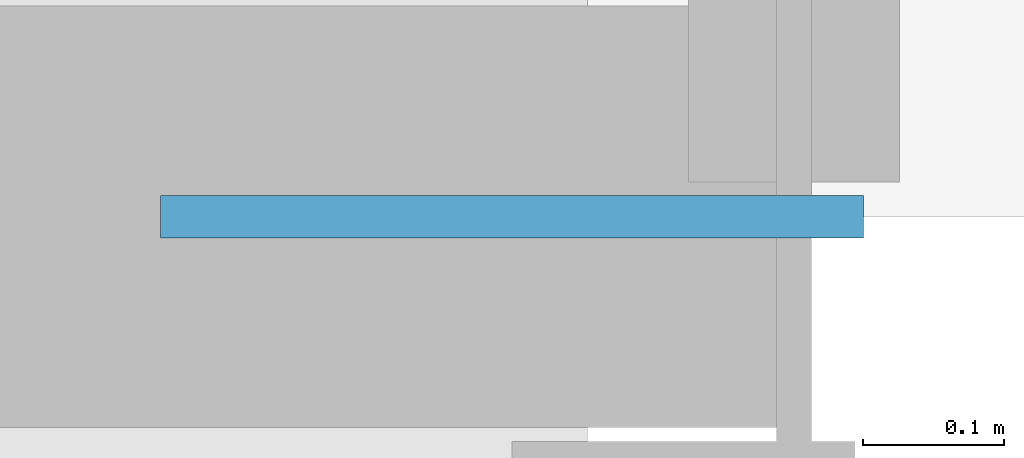
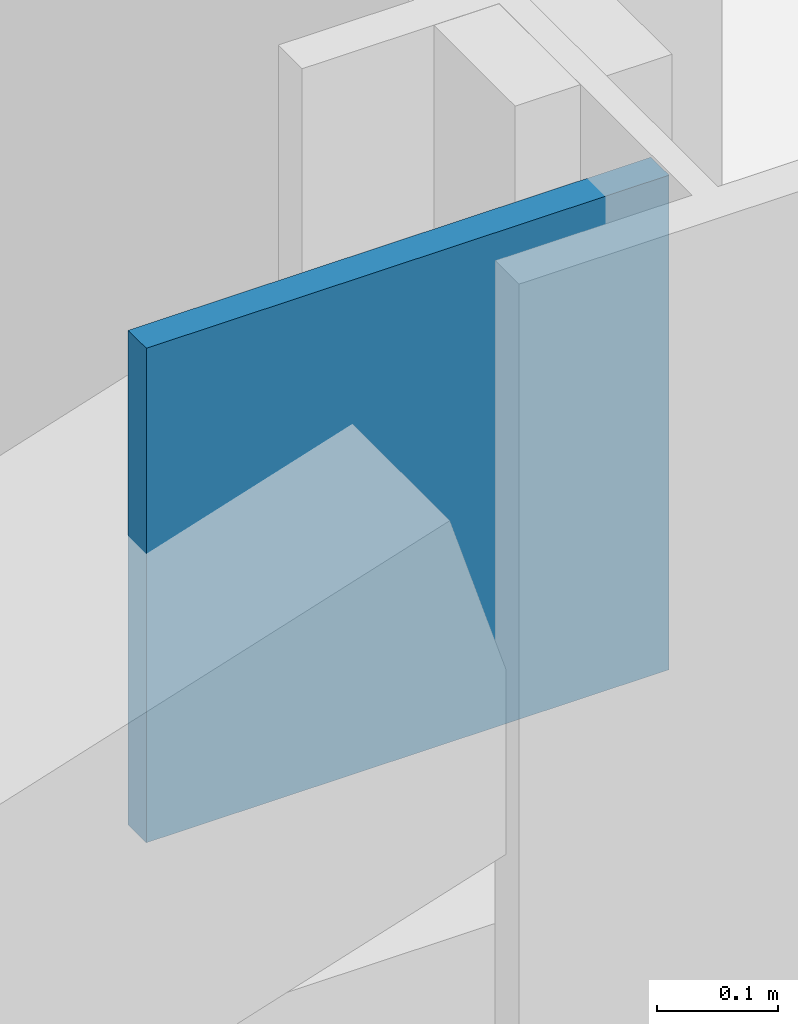
# One storey, part 21 of 30: 1 discrete accessory.
"""IFC4 building model written with IfcOpenShell, lengths in metres."""

from ifc_helpers import new_model, si_unit, direction, frame, origin, origin_2d, place, context, subcontext, project, spatial, rectangle, extrude, material, layer, layer_set, type_object, element, save


model = new_model("IFC4")

# Units and contexts
model_context = context("Model", 3, precision=1e-05, world=origin(), true_north=direction((0.0, 1.0)))
body_context = subcontext(model_context, "Body", "Model", "MODEL_VIEW")
ifc_project = project(units=[si_unit("LENGTHUNIT", "METRE"), si_unit("AREAUNIT", "SQUARE_METRE"), si_unit("VOLUMEUNIT", "CUBIC_METRE"), si_unit("PLANEANGLEUNIT", "RADIAN"), si_unit("MASSUNIT", "GRAM", prefix="KILO")], contexts=[model_context])

# Site, building, storey
site_placement = place(None, origin())
site = spatial("IfcSite", under=ifc_project, at=site_placement, CompositionType="ELEMENT")
building_placement = place(site_placement, origin())
building = spatial("IfcBuilding", under=site, at=building_placement, Name="Mahtab Terrace Research Tower", CompositionType="ELEMENT")
storey_placement = place(building_placement, frame((0.0, 0.0, 212.89990234375)))
storey = spatial("IfcBuildingStorey", under=building, at=storey_placement, Name="L51", CompositionType="ELEMENT", Elevation=212.89990234375)

# Discrete accessory
ifc_material = material(Name="Steel ASTM A992 Gr 50", Category="steel")
ifc_layer = layer(ifc_material, 0.030029296875)
ifc_layer_set = layer_set([ifc_layer], Name="Gusset plate 500x500x30")
discrete_accessory_type = type_object("IfcDiscreteAccessoryType", Name="Gusset plate 500x500x30", PredefinedType="USERDEFINED", material=ifc_layer_set)
discrete_accessory_placement = place(storey_placement, frame((17.79931640625, -23.0, 2.87109375), z_axis=(0.0, 0.0, 1.0), x_axis=(1.0, 0.0, 0.0)))
element("IfcDiscreteAccessory", 1, at=discrete_accessory_placement, inside=storey, type_object=discrete_accessory_type, Name="Gusset plate", ObjectType="GUSSET PLATE", PredefinedType="USERDEFINED", context=body_context, shape_type="SweptSolid", body=[
    extrude(rectangle(XDim=0.5, YDim=0.030029296875, at=origin_2d()), origin(), (0.0, 0.0, 1.0), 0.5),
])

save(model, "model.ifc")
